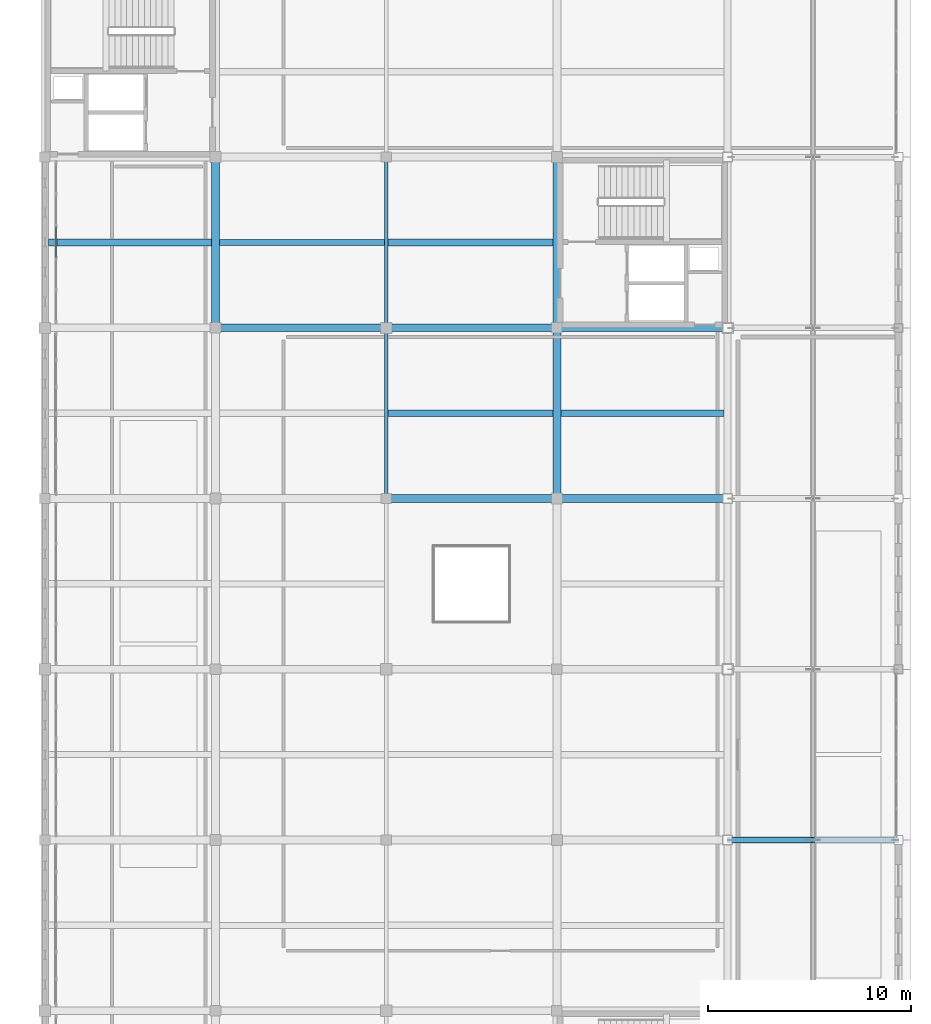
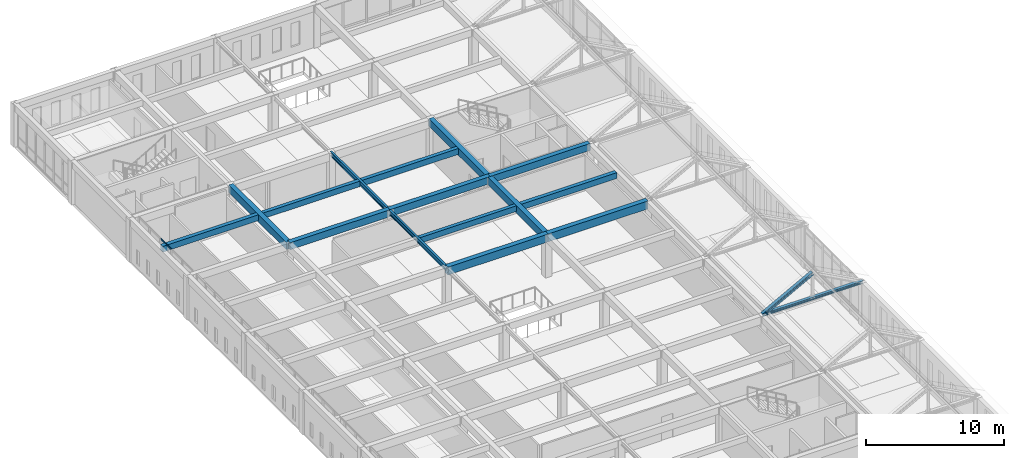
# One storey, part 11 of 36: 15 beams, 3 members, 1 element without a shape of its own.
"""IFC4 building model written with IfcOpenShell, lengths in metres."""

from ifc_helpers import new_model, si_unit, direction, frame, origin, origin_2d, place, context, subcontext, project, spatial, rectangle, i_section, extrude, material, layer, layer_set, material_profile, profile_set, type_object, element, aggregate, save


model = new_model("IFC4")

# Units and contexts
model_context = context("Model", 3, precision=1e-05, world=origin(), true_north=direction((0.0, 1.0)))
body_context = subcontext(model_context, "Body", "Model", "MODEL_VIEW")
ifc_project = project(units=[si_unit("LENGTHUNIT", "METRE"), si_unit("AREAUNIT", "SQUARE_METRE"), si_unit("VOLUMEUNIT", "CUBIC_METRE"), si_unit("PLANEANGLEUNIT", "RADIAN"), si_unit("MASSUNIT", "GRAM", prefix="KILO")], contexts=[model_context])

# Site, building, storey
site_placement = place(None, origin())
site = spatial("IfcSite", under=ifc_project, at=site_placement, CompositionType="ELEMENT")
building_placement = place(site_placement, origin())
building = spatial("IfcBuilding", under=site, at=building_placement, Name="Kveldsbrygga Polytechnic", CompositionType="ELEMENT")
storey_placement = place(building_placement, frame((0.0, 0.0, 22.10009765625)))
storey = spatial("IfcBuildingStorey", under=building, at=storey_placement, Name="L05", CompositionType="ELEMENT", Elevation=22.10009765625)

# Beams
ifc_material_1 = material(Name="Concrete C35/45", Category="concrete")
ifc_material_profile_1 = material_profile(ifc_material_1, rectangle(XDim=0.3798828125, YDim=0.6201171875, at=origin_2d()), Name="RC 380x620")
ifc_profile_set_1 = profile_set([ifc_material_profile_1], Name="Concrete C35/45")
beam_type_1 = type_object("IfcBeamType", Name="BM-RC-380x620", PredefinedType="BEAM", material=ifc_profile_set_1)
beam_1_placement = place(storey_placement, frame((134.39990234375, 75.60009765625, 3.469970703125), z_axis=(1.0, 0.0, 0.0), x_axis=(0.0, 1.0, 0.0)))
element("IfcBeam", 1, at=beam_1_placement, inside=storey, type_object=beam_type_1, Name="Primary Beam BMX-L05-16to17-09", PredefinedType="BEAM", context=body_context, shape_type="SweptSolid", body=[
    extrude(rectangle(XDim=0.3798828125, YDim=0.6201171875, at=origin_2d()), origin(), (0.0, 0.0, 1.0), 8.400146484375),
])
beam_2_placement = place(storey_placement, frame((142.800048828125, 75.60009765625, 3.469970703125), z_axis=(1.0, 0.0, 0.0), x_axis=(0.0, 1.0, 0.0)))
element("IfcBeam", 2, at=beam_2_placement, inside=storey, type_object=beam_type_1, Name="Primary Beam BMX-L05-17to18-09", PredefinedType="BEAM", context=body_context, shape_type="SweptSolid", body=[
    extrude(rectangle(XDim=0.3798828125, YDim=0.6201171875, at=origin_2d()), origin(), (0.0, 0.0, 1.0), 8.39990234375),
])
beam_3_placement = place(storey_placement, frame((151.199951171875, 75.60009765625, 3.469970703125), z_axis=(1.0, 0.0, 0.0), x_axis=(0.0, 1.0, 0.0)))
element("IfcBeam", 3, at=beam_3_placement, inside=storey, type_object=beam_type_1, Name="Primary Beam BMX-L05-18to19-09", PredefinedType="BEAM", context=body_context, shape_type="SweptSolid", body=[
    extrude(rectangle(XDim=0.3798828125, YDim=0.6201171875, at=origin_2d()), origin(), (0.0, 0.0, 1.0), 8.400146484375),
])
ifc_material_profile_2 = material_profile(ifc_material_1, rectangle(XDim=0.39990234375, YDim=0.64990234375, at=origin_2d()), Name="RC 400x650")
ifc_profile_set_2 = profile_set([ifc_material_profile_2], Name="Concrete C35/45")
beam_type_2 = type_object("IfcBeamType", Name="BM-RC-400x650", PredefinedType="BEAM", material=ifc_profile_set_2)
beam_4_placement = place(storey_placement, frame((134.39990234375, 75.60009765625, 3.454833984375), z_axis=(0.0, 1.0, 0.0), x_axis=(-1.0, 0.0, 0.0)))
element("IfcBeam", 4, at=beam_4_placement, inside=storey, type_object=beam_type_2, Name="Primary Beam BMY-L05-16-09to10", PredefinedType="BEAM", context=body_context, shape_type="SweptSolid", body=[
    extrude(rectangle(XDim=0.39990234375, YDim=0.64990234375, at=origin_2d()), origin(), (0.0, 0.0, 1.0), 8.39990234375),
])
beam_5_placement = place(storey_placement, frame((151.199951171875, 67.199951171875, 3.454833984375), z_axis=(0.0, 1.0, 0.0), x_axis=(-1.0, 0.0, 0.0)))
element("IfcBeam", 5, at=beam_5_placement, inside=storey, type_object=beam_type_2, Name="Primary Beam BMY-L05-18-08to09", PredefinedType="BEAM", context=body_context, shape_type="SweptSolid", body=[
    extrude(rectangle(XDim=0.39990234375, YDim=0.64990234375, at=origin_2d()), origin(), (0.0, 0.0, 1.0), 8.400146484375),
])
beam_6_placement = place(storey_placement, frame((151.199951171875, 75.60009765625, 3.454833984375), z_axis=(0.0, 1.0, 0.0), x_axis=(-1.0, 0.0, 0.0)))
element("IfcBeam", 6, at=beam_6_placement, inside=storey, type_object=beam_type_2, Name="Primary Beam BMY-L05-18-09to10", PredefinedType="BEAM", context=body_context, shape_type="SweptSolid", body=[
    extrude(rectangle(XDim=0.39990234375, YDim=0.64990234375, at=origin_2d()), origin(), (0.0, 0.0, 1.0), 8.39990234375),
])
ifc_material_profile_3 = material_profile(ifc_material_1, rectangle(XDim=0.39990234375, YDim=0.699951171875, at=origin_2d()), Name="RC 400x700")
ifc_profile_set_3 = profile_set([ifc_material_profile_3], Name="Concrete C35/45")
beam_type_3 = type_object("IfcBeamType", Name="BM-RC-400x700", PredefinedType="BEAM", material=ifc_profile_set_3)
beam_7_placement = place(storey_placement, frame((142.800048828125, 67.199951171875, 3.429931640625), z_axis=(1.0, 0.0, 0.0), x_axis=(0.0, 1.0, 0.0)))
element("IfcBeam", 7, at=beam_7_placement, inside=storey, type_object=beam_type_3, Name="Primary Beam BMX-L05-17to18-08", PredefinedType="BEAM", context=body_context, shape_type="SweptSolid", body=[
    extrude(rectangle(XDim=0.39990234375, YDim=0.699951171875, at=origin_2d()), origin(), (0.0, 0.0, 1.0), 8.39990234375),
])
beam_8_placement = place(storey_placement, frame((151.199951171875, 67.199951171875, 3.429931640625), z_axis=(1.0, 0.0, 0.0), x_axis=(0.0, 1.0, 0.0)))
element("IfcBeam", 8, at=beam_8_placement, inside=storey, type_object=beam_type_3, Name="Primary Beam BMX-L05-18to19-08", PredefinedType="BEAM", context=body_context, shape_type="SweptSolid", body=[
    extrude(rectangle(XDim=0.39990234375, YDim=0.699951171875, at=origin_2d()), origin(), (0.0, 0.0, 1.0), 8.400146484375),
])
ifc_material_2 = material(Name="Steel S355", Category="steel")
ifc_material_profile_4 = material_profile(ifc_material_2, i_section(OverallWidth=0.179931640625, OverallDepth=0.39990234375, WebThickness=0.008544921875, FlangeThickness=0.013427734375, FilletRadius=0.02099609375, at=origin_2d()), Name="IPE 400")
ifc_profile_set_4 = profile_set([ifc_material_profile_4], Name="Steel S355")
beam_type_4 = type_object("IfcBeamType", Name="BM-STL-IPE400", PredefinedType="BEAM", material=ifc_profile_set_4)
beam_9_placement = place(storey_placement, frame((142.800048828125, 67.199951171875, 3.579833984375), z_axis=(0.0, 1.0, 0.0), x_axis=(-1.0, 0.0, 0.0)))
element("IfcBeam", 9, at=beam_9_placement, inside=storey, type_object=beam_type_4, Name="Primary Beam BMY-L05-17-08to09", PredefinedType="BEAM", context=body_context, shape_type="SweptSolid", body=[
    extrude(i_section(OverallWidth=0.179931640625, OverallDepth=0.39990234375, WebThickness=0.008544921875, FlangeThickness=0.013427734375, FilletRadius=0.02099609375, at=origin_2d()), origin(), (0.0, 0.0, 1.0), 8.400146484375),
])
beam_10_placement = place(storey_placement, frame((142.800048828125, 75.60009765625, 3.579833984375), z_axis=(0.0, 1.0, 0.0), x_axis=(-1.0, 0.0, 0.0)))
element("IfcBeam", 10, at=beam_10_placement, inside=storey, type_object=beam_type_4, Name="Primary Beam BMY-L05-17-09to10", PredefinedType="BEAM", context=body_context, shape_type="SweptSolid", body=[
    extrude(i_section(OverallWidth=0.179931640625, OverallDepth=0.39990234375, WebThickness=0.008544921875, FlangeThickness=0.013427734375, FilletRadius=0.02099609375, at=origin_2d()), origin(), (0.0, 0.0, 1.0), 8.39990234375),
])

# Curtain wall, member
ifc_material_3 = material(Name="Anodised aluminium AW-6060", Category="aluminium")
ifc_layer = layer(ifc_material_3, 0.18994140625)
ifc_layer_set = layer_set([ifc_layer], Name="Anodised aluminium AW-6060")
curtain_wall_type = type_object("IfcCurtainWallType", Name="CW-REFC-G", PredefinedType="USERDEFINED", material=ifc_layer_set)
curtain_wall_placement = place(storey_placement, origin())
curtain_wall = element("IfcCurtainWall", 11, at=curtain_wall_placement, inside=storey, type_object=curtain_wall_type, Name="Curtain Wall CW-L05-Y-15-09", ObjectType="UNITISED CURTAIN WALL", PredefinedType="USERDEFINED")
ifc_material_profile_5 = material_profile(ifc_material_3, rectangle(XDim=0.06005859375, YDim=0.1201171875, at=origin_2d()), Name="ALU 60x120")
ifc_profile_set_5 = profile_set([ifc_material_profile_5], Name="Anodised aluminium AW-6060")
member_type_1 = type_object("IfcMemberType", Name="CW-TRN-120", PredefinedType="USERDEFINED", material=ifc_profile_set_5)
member_1_placement = place(storey_placement, frame((126.550048828125, 79.0595703125, 3.75), z_axis=(0.0, 1.0, 0.0), x_axis=(-1.0, 0.0, 0.0)))
member_1 = element("IfcMember", 12, at=member_1_placement, type_object=member_type_1, Name="CW-07 transom 3.4", ObjectType="TRANSOM", PredefinedType="USERDEFINED", context=body_context, shape_type="SweptSolid", body=[
    extrude(rectangle(XDim=0.06005859375, YDim=0.1201171875, at=origin_2d()), origin(), (0.0, 0.0, 1.0), 1.505859375),
])
aggregate(curtain_wall, [member_1])

# Beams
ifc_material_profile_6 = material_profile(ifc_material_1, rectangle(XDim=0.300048828125, YDim=0.5, at=origin_2d()), Name="RC 300x500")
ifc_profile_set_6 = profile_set([ifc_material_profile_6], Name="Concrete C35/45")
beam_type_5 = type_object("IfcBeamType", Name="JST-RC-300x500", PredefinedType="JOIST", material=ifc_profile_set_6)
beam_11_placement = place(storey_placement, frame((134.60009765625, 79.800048828125, 3.52978515625), z_axis=(1.0, 0.0, 0.0), x_axis=(0.0, 1.0, 0.0)))
element("IfcBeam", 13, at=beam_11_placement, inside=storey, type_object=beam_type_5, Name="Secondary Joist JST-L05-16-09", PredefinedType="JOIST", context=body_context, shape_type="SweptSolid", body=[
    extrude(rectangle(XDim=0.300048828125, YDim=0.5, at=origin_2d()), origin(), (0.0, 0.0, 1.0), 8.10986328125),
])
beam_12_placement = place(storey_placement, frame((142.889892578125, 71.39990234375, 3.52978515625), z_axis=(1.0, 0.0, 0.0), x_axis=(0.0, 1.0, 0.0)))
element("IfcBeam", 14, at=beam_12_placement, inside=storey, type_object=beam_type_5, Name="Secondary Joist JST-L05-17-08", PredefinedType="JOIST", context=body_context, shape_type="SweptSolid", body=[
    extrude(rectangle(XDim=0.300048828125, YDim=0.5, at=origin_2d()), origin(), (0.0, 0.0, 1.0), 8.110107421875),
])
ifc_material_profile_7 = material_profile(ifc_material_1, rectangle(XDim=0.320068359375, YDim=0.52001953125, at=origin_2d()), Name="RC 320x520")
ifc_profile_set_7 = profile_set([ifc_material_profile_7], Name="Concrete C35/45")
beam_type_6 = type_object("IfcBeamType", Name="JST-RC-320x520", PredefinedType="JOIST", material=ifc_profile_set_7)
beam_13_placement = place(storey_placement, frame((126.175048828125, 79.800048828125, 3.52001953125), z_axis=(1.0, 0.0, 0.0), x_axis=(0.0, 1.0, 0.0)))
element("IfcBeam", 15, at=beam_13_placement, inside=storey, type_object=beam_type_6, Name="Secondary Joist JST-L05-15-09", PredefinedType="JOIST", context=body_context, shape_type="SweptSolid", body=[
    extrude(rectangle(XDim=0.320068359375, YDim=0.52001953125, at=origin_2d()), origin(), (0.0, 0.0, 1.0), 8.02490234375),
])
beam_14_placement = place(storey_placement, frame((142.889892578125, 79.800048828125, 3.52001953125), z_axis=(1.0, 0.0, 0.0), x_axis=(0.0, 1.0, 0.0)))
element("IfcBeam", 16, at=beam_14_placement, inside=storey, type_object=beam_type_6, Name="Secondary Joist JST-L05-17-09", PredefinedType="JOIST", context=body_context, shape_type="SweptSolid", body=[
    extrude(rectangle(XDim=0.320068359375, YDim=0.52001953125, at=origin_2d()), origin(), (0.0, 0.0, 1.0), 8.110107421875),
])
beam_15_placement = place(storey_placement, frame((151.39990234375, 71.39990234375, 3.52001953125), z_axis=(1.0, 0.0, 0.0), x_axis=(0.0, 1.0, 0.0)))
element("IfcBeam", 17, at=beam_15_placement, inside=storey, type_object=beam_type_6, Name="Secondary Joist JST-L05-18-08", PredefinedType="JOIST", context=body_context, shape_type="SweptSolid", body=[
    extrude(rectangle(XDim=0.320068359375, YDim=0.52001953125, at=origin_2d()), origin(), (0.0, 0.0, 1.0), 8.025146484375),
])

# Members
ifc_material_profile_8 = material_profile(ifc_material_2, i_section(OverallWidth=0.239990234375, OverallDepth=0.239990234375, WebThickness=0.010009765625, FlangeThickness=0.01708984375, FilletRadius=0.02099609375, at=origin_2d()), Name="HEB 240")
ifc_profile_set_8 = profile_set([ifc_material_profile_8], Name="Steel S355")
member_type_2 = type_object("IfcMemberType", Name="TR-BOT-HEB240", PredefinedType="CHORD", material=ifc_profile_set_8)
member_2_placement = place(storey_placement, frame((159.60009765625, 50.39990234375, 3.77978515625), z_axis=(1.0, 0.0, 0.0), x_axis=(0.0, 1.0, 0.0)))
element("IfcMember", 18, at=member_2_placement, inside=storey, type_object=member_type_2, Name="Truss Bottom Chord V4E6-T05-BC-1", PredefinedType="CHORD", context=body_context, shape_type="SweptSolid", body=[
    extrude(i_section(OverallWidth=0.239990234375, OverallDepth=0.239990234375, WebThickness=0.010009765625, FlangeThickness=0.01708984375, FilletRadius=0.02099609375, at=origin_2d()), origin(), (0.0, 0.0, 1.0), 8.39990234375),
])
ifc_material_profile_9 = material_profile(ifc_material_2, i_section(OverallWidth=0.280029296875, OverallDepth=0.280029296875, WebThickness=0.010498046875, FlangeThickness=0.01806640625, FilletRadius=0.02392578125, at=origin_2d()), Name="HEB 280")
ifc_profile_set_9 = profile_set([ifc_material_profile_9], Name="Steel S355")
member_type_3 = type_object("IfcMemberType", Name="TR-TOP-HEB280", PredefinedType="CHORD", material=ifc_profile_set_9)
member_3_placement = place(storey_placement, frame((159.60009765625, 50.39990234375, 3.77978515625), z_axis=(0.881477684796, 0.0, 0.472225678258), x_axis=(0.0, 1.0, 0.0)))
element("IfcMember", 19, at=member_3_placement, inside=storey, type_object=member_type_3, Name="Truss Top Chord V4E6-T05-TC-1", PredefinedType="CHORD", context=body_context, shape_type="SweptSolid", body=[
    extrude(i_section(OverallWidth=0.280029296875, OverallDepth=0.280029296875, WebThickness=0.010498046875, FlangeThickness=0.01806640625, FilletRadius=0.02392578125, at=origin_2d()), origin(), (0.0, 0.0, 1.0), 4.7646484375),
])

save(model, "model.ifc")
